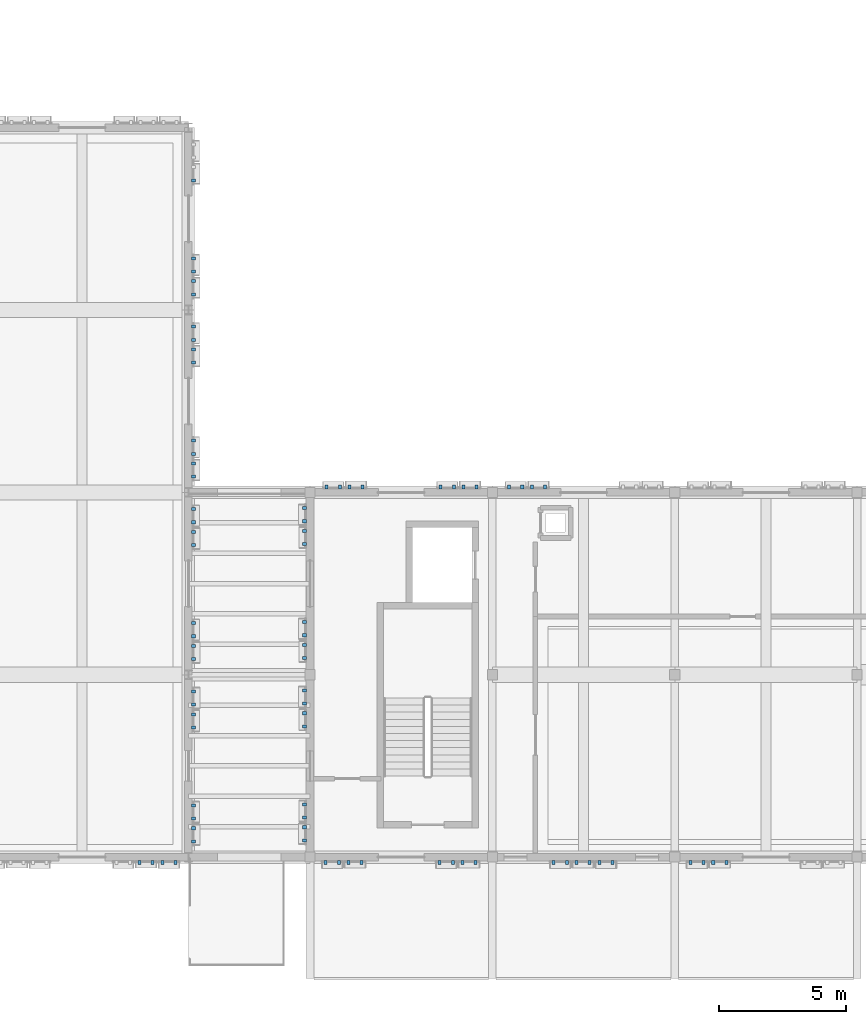
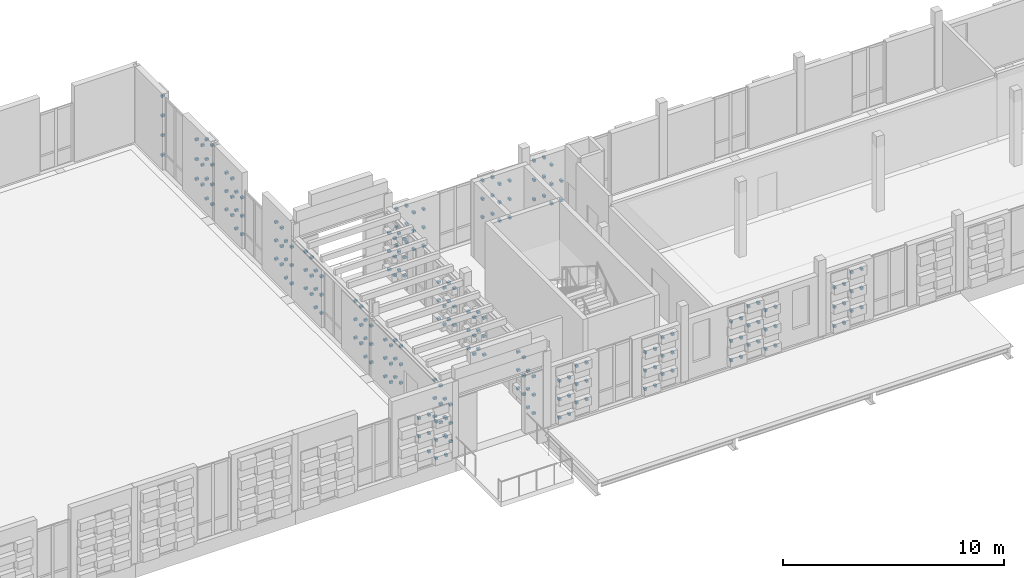
# One storey, part 79 of 99: 238 discrete accessories.
"""IFC4 building model written with IfcOpenShell, lengths in metres."""

from ifc_helpers import new_model, si_unit, direction, frame, origin, origin_2d, place, context, subcontext, project, spatial, rectangle, extrude, material, type_object, element, save


model = new_model("IFC4")

# Units and contexts
model_context = context("Model", 3, precision=1e-05, world=origin(), true_north=direction((0.0, 1.0)))
body_context = subcontext(model_context, "Body", "Model", "MODEL_VIEW")
ifc_project = project(units=[si_unit("LENGTHUNIT", "METRE"), si_unit("AREAUNIT", "SQUARE_METRE"), si_unit("VOLUMEUNIT", "CUBIC_METRE"), si_unit("PLANEANGLEUNIT", "RADIAN"), si_unit("MASSUNIT", "GRAM", prefix="KILO")], contexts=[model_context])

# Site, building, storey
site_placement = place(None, origin())
site = spatial("IfcSite", under=ifc_project, at=site_placement, CompositionType="ELEMENT")
building_placement = place(site_placement, origin())
building = spatial("IfcBuilding", under=site, at=building_placement, Name="Kahlenmark Community Centre", CompositionType="ELEMENT")
storey_placement = place(building_placement, frame((0.0, 0.0, 5.39990234375)))
storey = spatial("IfcBuildingStorey", under=building, at=storey_placement, Name="L01", CompositionType="ELEMENT", Elevation=5.39990234375)

# Discrete accessories
ifc_material = material(Name="Stainless steel 1.4401 rainscreen bracket", Category="steel")
discrete_accessory_type = type_object("IfcDiscreteAccessoryType", Name="DAT-BRACKET-TC", PredefinedType="BRACKET", material=ifc_material)
for number, where, z_axis, x_axis, name in (
    (1, (44.590087890625, 8.590087890625, 0.781982421875), (0.0, 0.0, 1.0), (1.0, 0.0, 0.0), "Terracotta cassette bracket 0170.2"),
    (2, (44.070068359375, 8.590087890625, 1.798095703125), (0.0, 0.0, 1.0), (1.0, 0.0, 0.0), "Terracotta cassette bracket 0172.1"),
    (3, (44.590087890625, 8.590087890625, 1.798095703125), (0.0, 0.0, 1.0), (1.0, 0.0, 0.0), "Terracotta cassette bracket 0172.2"),
    (4, (44.070068359375, 8.590087890625, 2.81396484375), (0.0, 0.0, 1.0), (1.0, 0.0, 0.0), "Terracotta cassette bracket 0174.1"),
    (5, (44.590087890625, 8.590087890625, 2.81396484375), (0.0, 0.0, 1.0), (1.0, 0.0, 0.0), "Terracotta cassette bracket 0174.2"),
    (6, (44.969970703125, 8.590087890625, 0.27392578125), (0.0, 0.0, 1.0), (1.0, 0.0, 0.0), "Terracotta cassette bracket 0175.1"),
    (7, (45.489990234375, 8.590087890625, 0.27392578125), (0.0, 0.0, 1.0), (1.0, 0.0, 0.0), "Terracotta cassette bracket 0175.2"),
    (8, (44.969970703125, 8.590087890625, 1.2900390625), (0.0, 0.0, 1.0), (1.0, 0.0, 0.0), "Terracotta cassette bracket 0177.1"),
    (9, (45.489990234375, 8.590087890625, 1.2900390625), (0.0, 0.0, 1.0), (1.0, 0.0, 0.0), "Terracotta cassette bracket 0177.2"),
    (10, (44.969970703125, 8.590087890625, 2.30615234375), (0.0, 0.0, 1.0), (1.0, 0.0, 0.0), "Terracotta cassette bracket 0179.1"),
    (11, (45.489990234375, 8.590087890625, 2.30615234375), (0.0, 0.0, 1.0), (1.0, 0.0, 0.0), "Terracotta cassette bracket 0179.2"),
    (12, (46.2099609375, 9.419921875, 0.27392578125), (0.0, 0.0, 1.0), (0.0, 1.0, 0.0), "Terracotta cassette bracket 0385.1"),
    (13, (46.2099609375, 9.93994140625, 0.27392578125), (0.0, 0.0, 1.0), (0.0, 1.0, 0.0), "Terracotta cassette bracket 0385.2"),
    (14, (46.2099609375, 9.419921875, 1.2900390625), (0.0, 0.0, 1.0), (0.0, 1.0, 0.0), "Terracotta cassette bracket 0387.1"),
    (15, (46.2099609375, 9.93994140625, 1.2900390625), (0.0, 0.0, 1.0), (0.0, 1.0, 0.0), "Terracotta cassette bracket 0387.2"),
    (16, (46.2099609375, 9.419921875, 2.30615234375), (0.0, 0.0, 1.0), (0.0, 1.0, 0.0), "Terracotta cassette bracket 0389.1"),
    (17, (46.2099609375, 9.93994140625, 2.30615234375), (0.0, 0.0, 1.0), (0.0, 1.0, 0.0), "Terracotta cassette bracket 0389.2"),
    (18, (46.2099609375, 10.320068359375, 0.781982421875), (0.0, 0.0, 1.0), (0.0, 1.0, 0.0), "Terracotta cassette bracket 0392.1"),
    (19, (46.2099609375, 10.840087890625, 0.781982421875), (0.0, 0.0, 1.0), (0.0, 1.0, 0.0), "Terracotta cassette bracket 0392.2"),
    (20, (46.2099609375, 10.320068359375, 1.798095703125), (0.0, 0.0, 1.0), (0.0, 1.0, 0.0), "Terracotta cassette bracket 0394.1"),
    (21, (46.2099609375, 10.840087890625, 1.798095703125), (0.0, 0.0, 1.0), (0.0, 1.0, 0.0), "Terracotta cassette bracket 0394.2"),
    (22, (46.2099609375, 10.320068359375, 2.81396484375), (0.0, 0.0, 1.0), (0.0, 1.0, 0.0), "Terracotta cassette bracket 0396.1"),
    (23, (46.2099609375, 10.840087890625, 2.81396484375), (0.0, 0.0, 1.0), (0.0, 1.0, 0.0), "Terracotta cassette bracket 0396.2"),
    (24, (46.2099609375, 13.919921875, 0.781982421875), (0.0, 0.0, 1.0), (0.0, 1.0, 0.0), "Terracotta cassette bracket 0398.1"),
    (25, (46.2099609375, 14.43994140625, 0.781982421875), (0.0, 0.0, 1.0), (0.0, 1.0, 0.0), "Terracotta cassette bracket 0398.2"),
    (26, (46.2099609375, 13.919921875, 1.798095703125), (0.0, 0.0, 1.0), (0.0, 1.0, 0.0), "Terracotta cassette bracket 0400.1"),
    (27, (46.2099609375, 14.43994140625, 1.798095703125), (0.0, 0.0, 1.0), (0.0, 1.0, 0.0), "Terracotta cassette bracket 0400.2"),
    (28, (46.2099609375, 13.919921875, 2.81396484375), (0.0, 0.0, 1.0), (0.0, 1.0, 0.0), "Terracotta cassette bracket 0402.1"),
    (29, (46.2099609375, 14.43994140625, 2.81396484375), (0.0, 0.0, 1.0), (0.0, 1.0, 0.0), "Terracotta cassette bracket 0402.2"),
    (30, (46.2099609375, 14.820068359375, 0.27392578125), (0.0, 0.0, 1.0), (0.0, 1.0, 0.0), "Terracotta cassette bracket 0403.1"),
    (31, (46.2099609375, 15.340087890625, 0.27392578125), (0.0, 0.0, 1.0), (0.0, 1.0, 0.0), "Terracotta cassette bracket 0403.2"),
    (32, (46.2099609375, 14.820068359375, 1.2900390625), (0.0, 0.0, 1.0), (0.0, 1.0, 0.0), "Terracotta cassette bracket 0405.1"),
    (33, (46.2099609375, 15.340087890625, 1.2900390625), (0.0, 0.0, 1.0), (0.0, 1.0, 0.0), "Terracotta cassette bracket 0405.2"),
    (34, (46.2099609375, 14.820068359375, 2.30615234375), (0.0, 0.0, 1.0), (0.0, 1.0, 0.0), "Terracotta cassette bracket 0407.1"),
    (35, (46.2099609375, 15.340087890625, 2.30615234375), (0.0, 0.0, 1.0), (0.0, 1.0, 0.0), "Terracotta cassette bracket 0407.2"),
    (36, (46.2099609375, 16.6201171875, 0.27392578125), (0.0, 0.0, 1.0), (0.0, 1.0, 0.0), "Terracotta cassette bracket 0409.1"),
    (37, (46.2099609375, 17.139892578125, 0.27392578125), (0.0, 0.0, 1.0), (0.0, 1.0, 0.0), "Terracotta cassette bracket 0409.2"),
    (38, (46.2099609375, 16.6201171875, 1.2900390625), (0.0, 0.0, 1.0), (0.0, 1.0, 0.0), "Terracotta cassette bracket 0411.1"),
    (39, (46.2099609375, 17.139892578125, 1.2900390625), (0.0, 0.0, 1.0), (0.0, 1.0, 0.0), "Terracotta cassette bracket 0411.2"),
    (40, (46.2099609375, 16.6201171875, 2.30615234375), (0.0, 0.0, 1.0), (0.0, 1.0, 0.0), "Terracotta cassette bracket 0413.1"),
    (41, (46.2099609375, 17.139892578125, 2.30615234375), (0.0, 0.0, 1.0), (0.0, 1.0, 0.0), "Terracotta cassette bracket 0413.2"),
    (42, (46.2099609375, 17.52001953125, 0.781982421875), (0.0, 0.0, 1.0), (0.0, 1.0, 0.0), "Terracotta cassette bracket 0416.1"),
    (43, (46.2099609375, 18.0400390625, 0.781982421875), (0.0, 0.0, 1.0), (0.0, 1.0, 0.0), "Terracotta cassette bracket 0416.2"),
    (44, (46.2099609375, 17.52001953125, 1.798095703125), (0.0, 0.0, 1.0), (0.0, 1.0, 0.0), "Terracotta cassette bracket 0418.1"),
    (45, (46.2099609375, 18.0400390625, 1.798095703125), (0.0, 0.0, 1.0), (0.0, 1.0, 0.0), "Terracotta cassette bracket 0418.2"),
    (46, (46.2099609375, 17.52001953125, 2.81396484375), (0.0, 0.0, 1.0), (0.0, 1.0, 0.0), "Terracotta cassette bracket 0420.1"),
    (47, (46.2099609375, 18.0400390625, 2.81396484375), (0.0, 0.0, 1.0), (0.0, 1.0, 0.0), "Terracotta cassette bracket 0420.2"),
    (48, (46.2099609375, 21.1201171875, 0.27392578125), (0.0, 0.0, 1.0), (0.0, 1.0, 0.0), "Terracotta cassette bracket 0421.1"),
    (49, (46.2099609375, 21.639892578125, 0.27392578125), (0.0, 0.0, 1.0), (0.0, 1.0, 0.0), "Terracotta cassette bracket 0421.2"),
    (50, (46.2099609375, 21.1201171875, 1.2900390625), (0.0, 0.0, 1.0), (0.0, 1.0, 0.0), "Terracotta cassette bracket 0423.1"),
    (51, (46.2099609375, 21.639892578125, 1.2900390625), (0.0, 0.0, 1.0), (0.0, 1.0, 0.0), "Terracotta cassette bracket 0423.2"),
    (52, (46.2099609375, 21.1201171875, 2.30615234375), (0.0, 0.0, 1.0), (0.0, 1.0, 0.0), "Terracotta cassette bracket 0425.1"),
    (53, (46.2099609375, 21.639892578125, 2.30615234375), (0.0, 0.0, 1.0), (0.0, 1.0, 0.0), "Terracotta cassette bracket 0425.2"),
    (54, (46.2099609375, 22.02001953125, 0.781982421875), (0.0, 0.0, 1.0), (0.0, 1.0, 0.0), "Terracotta cassette bracket 0428.1"),
    (55, (46.2099609375, 22.5400390625, 0.781982421875), (0.0, 0.0, 1.0), (0.0, 1.0, 0.0), "Terracotta cassette bracket 0428.2"),
    (56, (46.2099609375, 22.02001953125, 1.798095703125), (0.0, 0.0, 1.0), (0.0, 1.0, 0.0), "Terracotta cassette bracket 0430.1"),
    (57, (46.2099609375, 22.5400390625, 1.798095703125), (0.0, 0.0, 1.0), (0.0, 1.0, 0.0), "Terracotta cassette bracket 0430.2"),
    (58, (46.2099609375, 22.02001953125, 2.81396484375), (0.0, 0.0, 1.0), (0.0, 1.0, 0.0), "Terracotta cassette bracket 0432.1"),
    (59, (46.2099609375, 22.5400390625, 2.81396484375), (0.0, 0.0, 1.0), (0.0, 1.0, 0.0), "Terracotta cassette bracket 0432.2"),
    (60, (46.2099609375, 23.820068359375, 0.27392578125), (0.0, 0.0, 1.0), (0.0, 1.0, 0.0), "Terracotta cassette bracket 0433.1"),
    (61, (46.2099609375, 24.340087890625, 0.27392578125), (0.0, 0.0, 1.0), (0.0, 1.0, 0.0), "Terracotta cassette bracket 0433.2"),
    (62, (46.2099609375, 23.820068359375, 1.2900390625), (0.0, 0.0, 1.0), (0.0, 1.0, 0.0), "Terracotta cassette bracket 0435.1"),
    (63, (46.2099609375, 24.340087890625, 1.2900390625), (0.0, 0.0, 1.0), (0.0, 1.0, 0.0), "Terracotta cassette bracket 0435.2"),
    (64, (46.2099609375, 23.820068359375, 2.30615234375), (0.0, 0.0, 1.0), (0.0, 1.0, 0.0), "Terracotta cassette bracket 0437.1"),
    (65, (46.2099609375, 24.340087890625, 2.30615234375), (0.0, 0.0, 1.0), (0.0, 1.0, 0.0), "Terracotta cassette bracket 0437.2"),
    (66, (46.2099609375, 24.719970703125, 0.781982421875), (0.0, 0.0, 1.0), (0.0, 1.0, 0.0), "Terracotta cassette bracket 0440.1"),
    (67, (46.2099609375, 25.239990234375, 0.781982421875), (0.0, 0.0, 1.0), (0.0, 1.0, 0.0), "Terracotta cassette bracket 0440.2"),
    (68, (46.2099609375, 24.719970703125, 1.798095703125), (0.0, 0.0, 1.0), (0.0, 1.0, 0.0), "Terracotta cassette bracket 0442.1"),
    (69, (46.2099609375, 25.239990234375, 1.798095703125), (0.0, 0.0, 1.0), (0.0, 1.0, 0.0), "Terracotta cassette bracket 0442.2"),
    (70, (46.2099609375, 24.719970703125, 2.81396484375), (0.0, 0.0, 1.0), (0.0, 1.0, 0.0), "Terracotta cassette bracket 0444.1"),
    (71, (46.2099609375, 25.239990234375, 2.81396484375), (0.0, 0.0, 1.0), (0.0, 1.0, 0.0), "Terracotta cassette bracket 0444.2"),
    (72, (46.2099609375, 28.320068359375, 0.27392578125), (0.0, 0.0, 1.0), (0.0, 1.0, 0.0), "Terracotta cassette bracket 0445.1"),
    (73, (46.2099609375, 28.840087890625, 0.27392578125), (0.0, 0.0, 1.0), (0.0, 1.0, 0.0), "Terracotta cassette bracket 0445.2"),
    (74, (46.2099609375, 28.320068359375, 1.2900390625), (0.0, 0.0, 1.0), (0.0, 1.0, 0.0), "Terracotta cassette bracket 0447.1"),
    (75, (46.2099609375, 28.840087890625, 1.2900390625), (0.0, 0.0, 1.0), (0.0, 1.0, 0.0), "Terracotta cassette bracket 0447.2"),
    (76, (46.2099609375, 28.320068359375, 2.30615234375), (0.0, 0.0, 1.0), (0.0, 1.0, 0.0), "Terracotta cassette bracket 0449.1"),
    (77, (46.2099609375, 28.840087890625, 2.30615234375), (0.0, 0.0, 1.0), (0.0, 1.0, 0.0), "Terracotta cassette bracket 0449.2"),
    (78, (46.2099609375, 29.219970703125, 0.781982421875), (0.0, 0.0, 1.0), (0.0, 1.0, 0.0), "Terracotta cassette bracket 0452.1"),
    (79, (46.2099609375, 29.739990234375, 0.781982421875), (0.0, 0.0, 1.0), (0.0, 1.0, 0.0), "Terracotta cassette bracket 0452.2"),
    (80, (46.2099609375, 29.219970703125, 1.798095703125), (0.0, 0.0, 1.0), (0.0, 1.0, 0.0), "Terracotta cassette bracket 0454.1"),
    (81, (46.2099609375, 29.739990234375, 1.798095703125), (0.0, 0.0, 1.0), (0.0, 1.0, 0.0), "Terracotta cassette bracket 0454.2"),
    (82, (46.2099609375, 29.219970703125, 2.81396484375), (0.0, 0.0, 1.0), (0.0, 1.0, 0.0), "Terracotta cassette bracket 0456.1"),
    (83, (46.2099609375, 29.739990234375, 2.81396484375), (0.0, 0.0, 1.0), (0.0, 1.0, 0.0), "Terracotta cassette bracket 0456.2"),
    (84, (46.2099609375, 31.02001953125, 0.29296875), (0.0, 0.0, 1.0), (0.0, 1.0, 0.0), "Terracotta cassette bracket 0457.1"),
    (85, (46.2099609375, 31.5400390625, 0.29296875), (0.0, 0.0, 1.0), (0.0, 1.0, 0.0), "Terracotta cassette bracket 0457.2"),
    (86, (46.2099609375, 31.02001953125, 1.385009765625), (0.0, 0.0, 1.0), (0.0, 1.0, 0.0), "Terracotta cassette bracket 0459.1"),
    (87, (46.2099609375, 31.5400390625, 1.385009765625), (0.0, 0.0, 1.0), (0.0, 1.0, 0.0), "Terracotta cassette bracket 0459.2"),
    (88, (46.2099609375, 31.02001953125, 2.47705078125), (0.0, 0.0, 1.0), (0.0, 1.0, 0.0), "Terracotta cassette bracket 0461.1"),
    (89, (46.2099609375, 31.5400390625, 2.47705078125), (0.0, 0.0, 1.0), (0.0, 1.0, 0.0), "Terracotta cassette bracket 0461.2"),
    (90, (46.2099609375, 31.02001953125, 3.569091796875), (0.0, 0.0, 1.0), (0.0, 1.0, 0.0), "Terracotta cassette bracket 0463.1"),
    (91, (46.2099609375, 31.5400390625, 3.569091796875), (0.0, 0.0, 1.0), (0.0, 1.0, 0.0), "Terracotta cassette bracket 0463.2"),
    (92, (46.2099609375, 31.919921875, 0.839111328125), (0.0, 0.0, 1.0), (0.0, 1.0, 0.0), "Terracotta cassette bracket 0465.1"),
    (93, (46.2099609375, 32.43994140625, 0.839111328125), (0.0, 0.0, 1.0), (0.0, 1.0, 0.0), "Terracotta cassette bracket 0465.2"),
    (94, (46.2099609375, 31.919921875, 1.93115234375), (0.0, 0.0, 1.0), (0.0, 1.0, 0.0), "Terracotta cassette bracket 0467.1"),
    (95, (46.2099609375, 32.43994140625, 1.93115234375), (0.0, 0.0, 1.0), (0.0, 1.0, 0.0), "Terracotta cassette bracket 0467.2"),
    (96, (46.2099609375, 31.919921875, 3.02294921875), (0.0, 0.0, 1.0), (0.0, 1.0, 0.0), "Terracotta cassette bracket 0469.1"),
    (97, (46.2099609375, 32.43994140625, 3.02294921875), (0.0, 0.0, 1.0), (0.0, 1.0, 0.0), "Terracotta cassette bracket 0469.2"),
    (98, (46.2099609375, 35.52001953125, 0.29296875), (0.0, 0.0, 1.0), (0.0, 1.0, 0.0), "Terracotta cassette bracket 0471.1"),
    (99, (46.2099609375, 35.52001953125, 1.385009765625), (0.0, 0.0, 1.0), (0.0, 1.0, 0.0), "Terracotta cassette bracket 0473.1"),
    (100, (46.2099609375, 35.52001953125, 2.47705078125), (0.0, 0.0, 1.0), (0.0, 1.0, 0.0), "Terracotta cassette bracket 0475.1"),
    (101, (46.2099609375, 35.52001953125, 3.569091796875), (0.0, 0.0, 1.0), (0.0, 1.0, 0.0), "Terracotta cassette bracket 0477.1"),
    (102, (51.419921875, 8.590087890625, 0.27392578125), (0.0, 0.0, 1.0), (1.0, 0.0, 0.0), "Terracotta cassette bracket 0935.1"),
    (103, (51.93994140625, 8.590087890625, 0.27392578125), (0.0, 0.0, 1.0), (1.0, 0.0, 0.0), "Terracotta cassette bracket 0935.2"),
    (104, (51.419921875, 8.590087890625, 1.2900390625), (0.0, 0.0, 1.0), (1.0, 0.0, 0.0), "Terracotta cassette bracket 0937.1"),
    (105, (51.93994140625, 8.590087890625, 1.2900390625), (0.0, 0.0, 1.0), (1.0, 0.0, 0.0), "Terracotta cassette bracket 0937.2"),
    (106, (51.419921875, 8.590087890625, 2.30615234375), (0.0, 0.0, 1.0), (1.0, 0.0, 0.0), "Terracotta cassette bracket 0939.1"),
    (107, (51.93994140625, 8.590087890625, 2.30615234375), (0.0, 0.0, 1.0), (1.0, 0.0, 0.0), "Terracotta cassette bracket 0939.2"),
    (108, (52.320068359375, 8.590087890625, 0.781982421875), (0.0, 0.0, 1.0), (1.0, 0.0, 0.0), "Terracotta cassette bracket 0942.1"),
    (109, (52.840087890625, 8.590087890625, 0.781982421875), (0.0, 0.0, 1.0), (1.0, 0.0, 0.0), "Terracotta cassette bracket 0942.2"),
    (110, (52.320068359375, 8.590087890625, 1.798095703125), (0.0, 0.0, 1.0), (1.0, 0.0, 0.0), "Terracotta cassette bracket 0944.1"),
    (111, (52.840087890625, 8.590087890625, 1.798095703125), (0.0, 0.0, 1.0), (1.0, 0.0, 0.0), "Terracotta cassette bracket 0944.2"),
    (112, (52.320068359375, 8.590087890625, 2.81396484375), (0.0, 0.0, 1.0), (1.0, 0.0, 0.0), "Terracotta cassette bracket 0946.1"),
    (113, (52.840087890625, 8.590087890625, 2.81396484375), (0.0, 0.0, 1.0), (1.0, 0.0, 0.0), "Terracotta cassette bracket 0946.2"),
    (114, (55.919921875, 8.590087890625, 0.27392578125), (0.0, 0.0, 1.0), (1.0, 0.0, 0.0), "Terracotta cassette bracket 0947.1"),
    (115, (56.43994140625, 8.590087890625, 0.27392578125), (0.0, 0.0, 1.0), (1.0, 0.0, 0.0), "Terracotta cassette bracket 0947.2"),
    (116, (55.919921875, 8.590087890625, 1.2900390625), (0.0, 0.0, 1.0), (1.0, 0.0, 0.0), "Terracotta cassette bracket 0949.1"),
    (117, (56.43994140625, 8.590087890625, 1.2900390625), (0.0, 0.0, 1.0), (1.0, 0.0, 0.0), "Terracotta cassette bracket 0949.2"),
    (118, (55.919921875, 8.590087890625, 2.30615234375), (0.0, 0.0, 1.0), (1.0, 0.0, 0.0), "Terracotta cassette bracket 0951.1"),
    (119, (56.43994140625, 8.590087890625, 2.30615234375), (0.0, 0.0, 1.0), (1.0, 0.0, 0.0), "Terracotta cassette bracket 0951.2"),
    (120, (56.820068359375, 8.590087890625, 0.781982421875), (0.0, 0.0, 1.0), (1.0, 0.0, 0.0), "Terracotta cassette bracket 0954.1"),
    (121, (57.340087890625, 8.590087890625, 0.781982421875), (0.0, 0.0, 1.0), (1.0, 0.0, 0.0), "Terracotta cassette bracket 0954.2"),
    (122, (56.820068359375, 8.590087890625, 1.798095703125), (0.0, 0.0, 1.0), (1.0, 0.0, 0.0), "Terracotta cassette bracket 0956.1"),
    (123, (57.340087890625, 8.590087890625, 1.798095703125), (0.0, 0.0, 1.0), (1.0, 0.0, 0.0), "Terracotta cassette bracket 0956.2"),
    (124, (56.820068359375, 8.590087890625, 2.81396484375), (0.0, 0.0, 1.0), (1.0, 0.0, 0.0), "Terracotta cassette bracket 0958.1"),
    (125, (57.340087890625, 8.590087890625, 2.81396484375), (0.0, 0.0, 1.0), (1.0, 0.0, 0.0), "Terracotta cassette bracket 0958.2"),
    (126, (60.419921875, 8.590087890625, 0.28759765625), (0.0, 0.0, 1.0), (1.0, 0.0, 0.0), "Terracotta cassette bracket 0959.1"),
    (127, (60.93994140625, 8.590087890625, 0.28759765625), (0.0, 0.0, 1.0), (1.0, 0.0, 0.0), "Terracotta cassette bracket 0959.2"),
    (128, (60.419921875, 8.590087890625, 1.357421875), (0.0, 0.0, 1.0), (1.0, 0.0, 0.0), "Terracotta cassette bracket 0961.1"),
    (129, (60.93994140625, 8.590087890625, 1.357421875), (0.0, 0.0, 1.0), (1.0, 0.0, 0.0), "Terracotta cassette bracket 0961.2"),
    (130, (60.419921875, 8.590087890625, 2.427490234375), (0.0, 0.0, 1.0), (1.0, 0.0, 0.0), "Terracotta cassette bracket 0963.1"),
    (131, (60.93994140625, 8.590087890625, 2.427490234375), (0.0, 0.0, 1.0), (1.0, 0.0, 0.0), "Terracotta cassette bracket 0963.2"),
    (132, (61.320068359375, 8.590087890625, 0.822509765625), (0.0, 0.0, 1.0), (1.0, 0.0, 0.0), "Terracotta cassette bracket 0966.1"),
    (133, (61.840087890625, 8.590087890625, 0.822509765625), (0.0, 0.0, 1.0), (1.0, 0.0, 0.0), "Terracotta cassette bracket 0966.2"),
    (134, (61.320068359375, 8.590087890625, 1.892578125), (0.0, 0.0, 1.0), (1.0, 0.0, 0.0), "Terracotta cassette bracket 0968.1"),
    (135, (61.840087890625, 8.590087890625, 1.892578125), (0.0, 0.0, 1.0), (1.0, 0.0, 0.0), "Terracotta cassette bracket 0968.2"),
    (136, (61.320068359375, 8.590087890625, 2.962646484375), (0.0, 0.0, 1.0), (1.0, 0.0, 0.0), "Terracotta cassette bracket 0970.1"),
    (137, (61.840087890625, 8.590087890625, 2.962646484375), (0.0, 0.0, 1.0), (1.0, 0.0, 0.0), "Terracotta cassette bracket 0970.2"),
    (138, (62.219970703125, 8.590087890625, 0.28759765625), (0.0, 0.0, 1.0), (1.0, 0.0, 0.0), "Terracotta cassette bracket 0971.1"),
    (139, (62.739990234375, 8.590087890625, 0.28759765625), (0.0, 0.0, 1.0), (1.0, 0.0, 0.0), "Terracotta cassette bracket 0971.2"),
    (140, (62.219970703125, 8.590087890625, 1.357421875), (0.0, 0.0, 1.0), (1.0, 0.0, 0.0), "Terracotta cassette bracket 0973.1"),
    (141, (62.739990234375, 8.590087890625, 1.357421875), (0.0, 0.0, 1.0), (1.0, 0.0, 0.0), "Terracotta cassette bracket 0973.2"),
    (142, (62.219970703125, 8.590087890625, 2.427490234375), (0.0, 0.0, 1.0), (1.0, 0.0, 0.0), "Terracotta cassette bracket 0975.1"),
    (143, (62.739990234375, 8.590087890625, 2.427490234375), (0.0, 0.0, 1.0), (1.0, 0.0, 0.0), "Terracotta cassette bracket 0975.2"),
    (144, (65.820068359375, 8.590087890625, 0.28759765625), (0.0, 0.0, 1.0), (1.0, 0.0, 0.0), "Terracotta cassette bracket 0977.1"),
    (145, (66.340087890625, 8.590087890625, 0.28759765625), (0.0, 0.0, 1.0), (1.0, 0.0, 0.0), "Terracotta cassette bracket 0977.2"),
    (146, (65.820068359375, 8.590087890625, 1.357421875), (0.0, 0.0, 1.0), (1.0, 0.0, 0.0), "Terracotta cassette bracket 0979.1"),
    (147, (66.340087890625, 8.590087890625, 1.357421875), (0.0, 0.0, 1.0), (1.0, 0.0, 0.0), "Terracotta cassette bracket 0979.2"),
    (148, (65.820068359375, 8.590087890625, 2.427490234375), (0.0, 0.0, 1.0), (1.0, 0.0, 0.0), "Terracotta cassette bracket 0981.1"),
    (149, (66.340087890625, 8.590087890625, 2.427490234375), (0.0, 0.0, 1.0), (1.0, 0.0, 0.0), "Terracotta cassette bracket 0981.2"),
    (150, (66.719970703125, 8.590087890625, 0.822509765625), (0.0, 0.0, 1.0), (1.0, 0.0, 0.0), "Terracotta cassette bracket 0984.1"),
    (151, (67.239990234375, 8.590087890625, 0.822509765625), (0.0, 0.0, 1.0), (1.0, 0.0, 0.0), "Terracotta cassette bracket 0984.2"),
    (152, (66.719970703125, 8.590087890625, 1.892578125), (0.0, 0.0, 1.0), (1.0, 0.0, 0.0), "Terracotta cassette bracket 0986.1"),
    (153, (67.239990234375, 8.590087890625, 1.892578125), (0.0, 0.0, 1.0), (1.0, 0.0, 0.0), "Terracotta cassette bracket 0986.2"),
    (154, (66.719970703125, 8.590087890625, 2.962646484375), (0.0, 0.0, 1.0), (1.0, 0.0, 0.0), "Terracotta cassette bracket 0988.1"),
    (155, (67.239990234375, 8.590087890625, 2.962646484375), (0.0, 0.0, 1.0), (1.0, 0.0, 0.0), "Terracotta cassette bracket 0988.2"),
    (156, (57.3798828125, 23.409912109375, 0.27392578125), (0.0, 0.0, 1.0), (-1.0, 0.0, 0.0), "Terracotta cassette bracket 1049.1"),
    (157, (56.860107421875, 23.409912109375, 0.27392578125), (0.0, 0.0, 1.0), (-1.0, 0.0, 0.0), "Terracotta cassette bracket 1049.2"),
    (158, (57.3798828125, 23.409912109375, 1.2900390625), (0.0, 0.0, 1.0), (-1.0, 0.0, 0.0), "Terracotta cassette bracket 1051.1"),
    (159, (56.860107421875, 23.409912109375, 1.2900390625), (0.0, 0.0, 1.0), (-1.0, 0.0, 0.0), "Terracotta cassette bracket 1051.2"),
    (160, (57.3798828125, 23.409912109375, 2.30615234375), (0.0, 0.0, 1.0), (-1.0, 0.0, 0.0), "Terracotta cassette bracket 1053.1"),
    (161, (56.860107421875, 23.409912109375, 2.30615234375), (0.0, 0.0, 1.0), (-1.0, 0.0, 0.0), "Terracotta cassette bracket 1053.2"),
    (162, (56.47998046875, 23.409912109375, 0.781982421875), (0.0, 0.0, 1.0), (-1.0, 0.0, 0.0), "Terracotta cassette bracket 1056.1"),
    (163, (55.9599609375, 23.409912109375, 0.781982421875), (0.0, 0.0, 1.0), (-1.0, 0.0, 0.0), "Terracotta cassette bracket 1056.2"),
    (164, (56.47998046875, 23.409912109375, 1.798095703125), (0.0, 0.0, 1.0), (-1.0, 0.0, 0.0), "Terracotta cassette bracket 1058.1"),
    (165, (55.9599609375, 23.409912109375, 1.798095703125), (0.0, 0.0, 1.0), (-1.0, 0.0, 0.0), "Terracotta cassette bracket 1058.2"),
    (166, (56.47998046875, 23.409912109375, 2.81396484375), (0.0, 0.0, 1.0), (-1.0, 0.0, 0.0), "Terracotta cassette bracket 1060.1"),
    (167, (55.9599609375, 23.409912109375, 2.81396484375), (0.0, 0.0, 1.0), (-1.0, 0.0, 0.0), "Terracotta cassette bracket 1060.2"),
    (168, (52.8798828125, 23.409912109375, 0.27392578125), (0.0, 0.0, 1.0), (-1.0, 0.0, 0.0), "Terracotta cassette bracket 1061.1"),
    (169, (52.360107421875, 23.409912109375, 0.27392578125), (0.0, 0.0, 1.0), (-1.0, 0.0, 0.0), "Terracotta cassette bracket 1061.2"),
    (170, (52.8798828125, 23.409912109375, 1.2900390625), (0.0, 0.0, 1.0), (-1.0, 0.0, 0.0), "Terracotta cassette bracket 1063.1"),
    (171, (52.360107421875, 23.409912109375, 1.2900390625), (0.0, 0.0, 1.0), (-1.0, 0.0, 0.0), "Terracotta cassette bracket 1063.2"),
    (172, (52.8798828125, 23.409912109375, 2.30615234375), (0.0, 0.0, 1.0), (-1.0, 0.0, 0.0), "Terracotta cassette bracket 1065.1"),
    (173, (52.360107421875, 23.409912109375, 2.30615234375), (0.0, 0.0, 1.0), (-1.0, 0.0, 0.0), "Terracotta cassette bracket 1065.2"),
    (174, (51.97998046875, 23.409912109375, 0.781982421875), (0.0, 0.0, 1.0), (-1.0, 0.0, 0.0), "Terracotta cassette bracket 1068.1"),
    (175, (51.4599609375, 23.409912109375, 0.781982421875), (0.0, 0.0, 1.0), (-1.0, 0.0, 0.0), "Terracotta cassette bracket 1068.2"),
    (176, (51.97998046875, 23.409912109375, 1.798095703125), (0.0, 0.0, 1.0), (-1.0, 0.0, 0.0), "Terracotta cassette bracket 1070.1"),
    (177, (51.4599609375, 23.409912109375, 1.798095703125), (0.0, 0.0, 1.0), (-1.0, 0.0, 0.0), "Terracotta cassette bracket 1070.2"),
    (178, (51.97998046875, 23.409912109375, 2.81396484375), (0.0, 0.0, 1.0), (-1.0, 0.0, 0.0), "Terracotta cassette bracket 1072.1"),
    (179, (51.4599609375, 23.409912109375, 2.81396484375), (0.0, 0.0, 1.0), (-1.0, 0.0, 0.0), "Terracotta cassette bracket 1072.2"),
    (180, (60.080078125, 23.409912109375, 0.28759765625), (0.0, 0.0, 1.0), (-1.0, 0.0, 0.0), "Terracotta cassette bracket 1085.1"),
    (181, (59.56005859375, 23.409912109375, 0.28759765625), (0.0, 0.0, 1.0), (-1.0, 0.0, 0.0), "Terracotta cassette bracket 1085.2"),
    (182, (60.080078125, 23.409912109375, 1.357421875), (0.0, 0.0, 1.0), (-1.0, 0.0, 0.0), "Terracotta cassette bracket 1087.1"),
    (183, (59.56005859375, 23.409912109375, 1.357421875), (0.0, 0.0, 1.0), (-1.0, 0.0, 0.0), "Terracotta cassette bracket 1087.2"),
    (184, (59.56005859375, 23.409912109375, 2.427490234375), (0.0, 0.0, 1.0), (-1.0, 0.0, 0.0), "Terracotta cassette bracket 1089.2"),
    (185, (59.179931640625, 23.409912109375, 0.822509765625), (0.0, 0.0, 1.0), (-1.0, 0.0, 0.0), "Terracotta cassette bracket 1092.1"),
    (186, (58.659912109375, 23.409912109375, 0.822509765625), (0.0, 0.0, 1.0), (-1.0, 0.0, 0.0), "Terracotta cassette bracket 1092.2"),
    (187, (59.179931640625, 23.409912109375, 1.892578125), (0.0, 0.0, 1.0), (-1.0, 0.0, 0.0), "Terracotta cassette bracket 1094.1"),
    (188, (58.659912109375, 23.409912109375, 1.892578125), (0.0, 0.0, 1.0), (-1.0, 0.0, 0.0), "Terracotta cassette bracket 1094.2"),
    (189, (59.179931640625, 23.409912109375, 2.962646484375), (0.0, 0.0, 1.0), (-1.0, 0.0, 0.0), "Terracotta cassette bracket 1096.1"),
    (190, (58.659912109375, 23.409912109375, 2.962646484375), (0.0, 0.0, 1.0), (-1.0, 0.0, 0.0), "Terracotta cassette bracket 1096.2"),
    (191, (50.590087890625, 15.3798828125, 0.27392578125), (0.0, 0.0, 1.0), (0.0, -1.0, 0.0), "Terracotta cassette bracket 1163.1"),
    (192, (50.590087890625, 14.860107421875, 0.27392578125), (0.0, 0.0, 1.0), (0.0, -1.0, 0.0), "Terracotta cassette bracket 1163.2"),
    (193, (50.590087890625, 15.3798828125, 1.2900390625), (0.0, 0.0, 1.0), (0.0, -1.0, 0.0), "Terracotta cassette bracket 1165.1"),
    (194, (50.590087890625, 14.860107421875, 1.2900390625), (0.0, 0.0, 1.0), (0.0, -1.0, 0.0), "Terracotta cassette bracket 1165.2"),
    (195, (50.590087890625, 15.3798828125, 2.30615234375), (0.0, 0.0, 1.0), (0.0, -1.0, 0.0), "Terracotta cassette bracket 1167.1"),
    (196, (50.590087890625, 14.860107421875, 2.30615234375), (0.0, 0.0, 1.0), (0.0, -1.0, 0.0), "Terracotta cassette bracket 1167.2"),
    (197, (50.590087890625, 14.47998046875, 0.781982421875), (0.0, 0.0, 1.0), (0.0, -1.0, 0.0), "Terracotta cassette bracket 1170.1"),
    (198, (50.590087890625, 13.9599609375, 0.781982421875), (0.0, 0.0, 1.0), (0.0, -1.0, 0.0), "Terracotta cassette bracket 1170.2"),
    (199, (50.590087890625, 14.47998046875, 1.798095703125), (0.0, 0.0, 1.0), (0.0, -1.0, 0.0), "Terracotta cassette bracket 1172.1"),
    (200, (50.590087890625, 13.9599609375, 1.798095703125), (0.0, 0.0, 1.0), (0.0, -1.0, 0.0), "Terracotta cassette bracket 1172.2"),
    (201, (50.590087890625, 14.47998046875, 2.81396484375), (0.0, 0.0, 1.0), (0.0, -1.0, 0.0), "Terracotta cassette bracket 1174.1"),
    (202, (50.590087890625, 13.9599609375, 2.81396484375), (0.0, 0.0, 1.0), (0.0, -1.0, 0.0), "Terracotta cassette bracket 1174.2"),
    (203, (50.590087890625, 10.8798828125, 0.781982421875), (0.0, 0.0, 1.0), (0.0, -1.0, 0.0), "Terracotta cassette bracket 1176.1"),
    (204, (50.590087890625, 10.360107421875, 0.781982421875), (0.0, 0.0, 1.0), (0.0, -1.0, 0.0), "Terracotta cassette bracket 1176.2"),
    (205, (50.590087890625, 10.8798828125, 1.798095703125), (0.0, 0.0, 1.0), (0.0, -1.0, 0.0), "Terracotta cassette bracket 1178.1"),
    (206, (50.590087890625, 10.360107421875, 1.798095703125), (0.0, 0.0, 1.0), (0.0, -1.0, 0.0), "Terracotta cassette bracket 1178.2"),
    (207, (50.590087890625, 10.8798828125, 2.81396484375), (0.0, 0.0, 1.0), (0.0, -1.0, 0.0), "Terracotta cassette bracket 1180.1"),
    (208, (50.590087890625, 10.360107421875, 2.81396484375), (0.0, 0.0, 1.0), (0.0, -1.0, 0.0), "Terracotta cassette bracket 1180.2"),
    (209, (50.590087890625, 9.97998046875, 0.27392578125), (0.0, 0.0, 1.0), (0.0, -1.0, 0.0), "Terracotta cassette bracket 1181.1"),
    (210, (50.590087890625, 9.4599609375, 0.27392578125), (0.0, 0.0, 1.0), (0.0, -1.0, 0.0), "Terracotta cassette bracket 1181.2"),
    (211, (50.590087890625, 9.97998046875, 1.2900390625), (0.0, 0.0, 1.0), (0.0, -1.0, 0.0), "Terracotta cassette bracket 1183.1"),
    (212, (50.590087890625, 9.4599609375, 1.2900390625), (0.0, 0.0, 1.0), (0.0, -1.0, 0.0), "Terracotta cassette bracket 1183.2"),
    (213, (50.590087890625, 9.97998046875, 2.30615234375), (0.0, 0.0, 1.0), (0.0, -1.0, 0.0), "Terracotta cassette bracket 1185.1"),
    (214, (50.590087890625, 9.4599609375, 2.30615234375), (0.0, 0.0, 1.0), (0.0, -1.0, 0.0), "Terracotta cassette bracket 1185.2"),
    (215, (50.590087890625, 22.580078125, 0.27392578125), (0.0, 0.0, 1.0), (0.0, -1.0, 0.0), "Terracotta cassette bracket 1187.1"),
    (216, (50.590087890625, 22.06005859375, 0.27392578125), (0.0, 0.0, 1.0), (0.0, -1.0, 0.0), "Terracotta cassette bracket 1187.2"),
    (217, (50.590087890625, 22.580078125, 1.2900390625), (0.0, 0.0, 1.0), (0.0, -1.0, 0.0), "Terracotta cassette bracket 1189.1"),
    (218, (50.590087890625, 22.06005859375, 1.2900390625), (0.0, 0.0, 1.0), (0.0, -1.0, 0.0), "Terracotta cassette bracket 1189.2"),
    (219, (50.590087890625, 22.580078125, 2.30615234375), (0.0, 0.0, 1.0), (0.0, -1.0, 0.0), "Terracotta cassette bracket 1191.1"),
    (220, (50.590087890625, 22.06005859375, 2.30615234375), (0.0, 0.0, 1.0), (0.0, -1.0, 0.0), "Terracotta cassette bracket 1191.2"),
    (221, (50.590087890625, 21.679931640625, 0.781982421875), (0.0, 0.0, 1.0), (0.0, -1.0, 0.0), "Terracotta cassette bracket 1194.1"),
    (222, (50.590087890625, 21.159912109375, 0.781982421875), (0.0, 0.0, 1.0), (0.0, -1.0, 0.0), "Terracotta cassette bracket 1194.2"),
    (223, (50.590087890625, 21.679931640625, 1.798095703125), (0.0, 0.0, 1.0), (0.0, -1.0, 0.0), "Terracotta cassette bracket 1196.1"),
    (224, (50.590087890625, 21.159912109375, 1.798095703125), (0.0, 0.0, 1.0), (0.0, -1.0, 0.0), "Terracotta cassette bracket 1196.2"),
    (225, (50.590087890625, 21.679931640625, 2.81396484375), (0.0, 0.0, 1.0), (0.0, -1.0, 0.0), "Terracotta cassette bracket 1198.1"),
    (226, (50.590087890625, 21.159912109375, 2.81396484375), (0.0, 0.0, 1.0), (0.0, -1.0, 0.0), "Terracotta cassette bracket 1198.2"),
    (227, (50.590087890625, 18.080078125, 0.27392578125), (0.0, 0.0, 1.0), (0.0, -1.0, 0.0), "Terracotta cassette bracket 1199.1"),
    (228, (50.590087890625, 17.56005859375, 0.27392578125), (0.0, 0.0, 1.0), (0.0, -1.0, 0.0), "Terracotta cassette bracket 1199.2"),
    (229, (50.590087890625, 18.080078125, 1.2900390625), (0.0, 0.0, 1.0), (0.0, -1.0, 0.0), "Terracotta cassette bracket 1201.1"),
    (230, (50.590087890625, 17.56005859375, 1.2900390625), (0.0, 0.0, 1.0), (0.0, -1.0, 0.0), "Terracotta cassette bracket 1201.2"),
    (231, (50.590087890625, 18.080078125, 2.30615234375), (0.0, 0.0, 1.0), (0.0, -1.0, 0.0), "Terracotta cassette bracket 1203.1"),
    (232, (50.590087890625, 17.56005859375, 2.30615234375), (0.0, 0.0, 1.0), (0.0, -1.0, 0.0), "Terracotta cassette bracket 1203.2"),
    (233, (50.590087890625, 17.179931640625, 0.781982421875), (0.0, 0.0, 1.0), (0.0, -1.0, 0.0), "Terracotta cassette bracket 1206.1"),
    (234, (50.590087890625, 16.659912109375, 0.781982421875), (0.0, 0.0, 1.0), (0.0, -1.0, 0.0), "Terracotta cassette bracket 1206.2"),
    (235, (50.590087890625, 17.179931640625, 1.798095703125), (0.0, 0.0, 1.0), (0.0, -1.0, 0.0), "Terracotta cassette bracket 1208.1"),
    (236, (50.590087890625, 16.659912109375, 1.798095703125), (0.0, 0.0, 1.0), (0.0, -1.0, 0.0), "Terracotta cassette bracket 1208.2"),
    (237, (50.590087890625, 17.179931640625, 2.81396484375), (0.0, 0.0, 1.0), (0.0, -1.0, 0.0), "Terracotta cassette bracket 1210.1"),
    (238, (50.590087890625, 16.659912109375, 2.81396484375), (0.0, 0.0, 1.0), (0.0, -1.0, 0.0), "Terracotta cassette bracket 1210.2"),
):
    element("IfcDiscreteAccessory", number, at=place(storey_placement, frame(where, z_axis=z_axis, x_axis=x_axis)), inside=storey, type_object=discrete_accessory_type, Name=name, PredefinedType="BRACKET", context=body_context, shape_type="SweptSolid", body=[
        extrude(rectangle(XDim=0.1201171875, YDim=0.159912109375, at=origin_2d()), origin(), (0.0, 0.0, 1.0), 0.1201171875),
    ])

save(model, "model.ifc")
